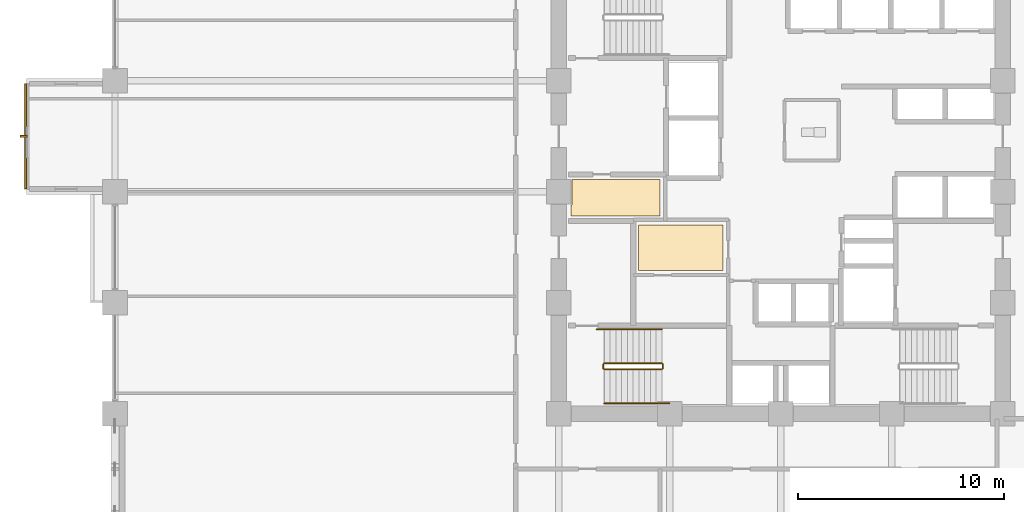
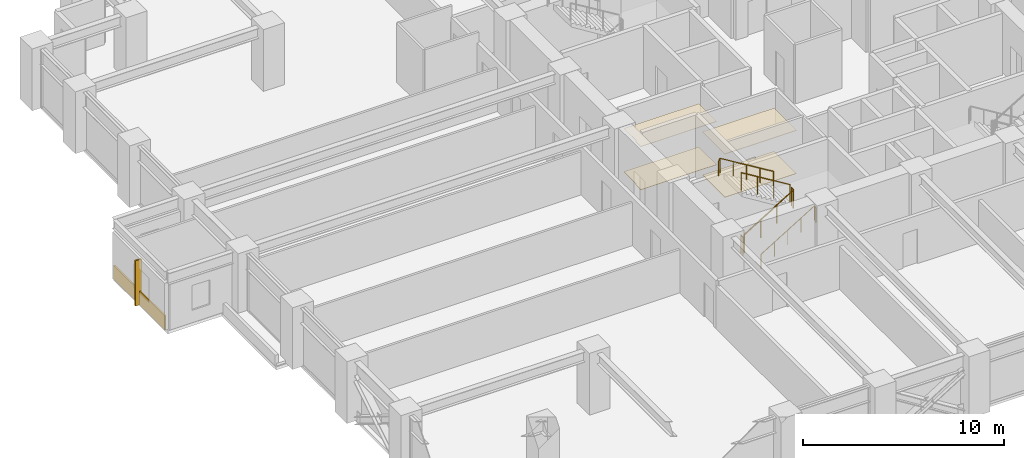
# One storey, part 25 of 28: 6 railings, 5 coverings, 1 shading device.
"""IFC4 building model written with IfcOpenShell, lengths in metres."""

from ifc_helpers import new_model, si_unit, direction, frame, origin, origin_2d, place, context, subcontext, project, spatial, polyline, rectangle, circle, outline, extrude, material, layer, layer_set, type_object, element, save


model = new_model("IFC4")

# Units and contexts
model_context = context("Model", 3, precision=1e-05, world=origin(), true_north=direction((0.0, 1.0)))
body_context = subcontext(model_context, "Body", "Model", "MODEL_VIEW")
ifc_project = project(units=[si_unit("LENGTHUNIT", "METRE"), si_unit("AREAUNIT", "SQUARE_METRE"), si_unit("VOLUMEUNIT", "CUBIC_METRE"), si_unit("PLANEANGLEUNIT", "RADIAN"), si_unit("MASSUNIT", "GRAM", prefix="KILO")], contexts=[model_context])

# Site, building, storey
site_placement = place(None, origin())
site = spatial("IfcSite", under=ifc_project, at=site_placement, CompositionType="ELEMENT")
building_placement = place(site_placement, origin())
building = spatial("IfcBuilding", under=site, at=building_placement, Name="Surkhivell Harbour Commons", CompositionType="ELEMENT")
storey_placement = place(building_placement, frame((0.0, 0.0, 63.75)))
storey = spatial("IfcBuildingStorey", under=building, at=storey_placement, Name="L16", CompositionType="ELEMENT", Elevation=63.75)

# Coverings
ifc_material_1 = material(Name="Perforated acoustic mineral-fibre ceiling tile", Category="other")
ifc_layer_1 = layer(ifc_material_1, 0.02490234375)
ifc_layer_set_1 = layer_set([ifc_layer_1], Name="Perforated acoustic mineral-fibre ceiling tile")
covering_type_1 = type_object("IfcCoveringType", Name="COV-CEIL-AC", PredefinedType="CEILING", material=ifc_layer_set_1)
covering_1_placement = place(storey_placement, frame((0.0, 0.0, 2.617919921875)))
element("IfcCovering", 1, at=covering_1_placement, inside=storey, type_object=covering_type_1, Name="L16 Suspended Acoustic Ceiling 1", PredefinedType="CEILING", context=body_context, shape_type="SweptSolid", body=[
    extrude(outline(polyline([(-10.219970703125, -1.179931640625), (-5.8701171875, -1.179931640625), (-5.8701171875, 0.60009765625), (-10.169921875, 0.60009765625), (-10.169921875, -0.6298828125), (-10.219970703125, -0.6298828125), (-10.219970703125, -1.179931640625)])), origin(), (0.0, 0.0, 1.0), 0.025146484375),
])
ifc_material_2 = material(Name="Moisture-resistant gypsum acoustic ceiling board", Category="other")
ifc_layer_2 = layer(ifc_material_2, 0.030029296875)
ifc_layer_set_2 = layer_set([ifc_layer_2], Name="Moisture-resistant gypsum acoustic ceiling board")
covering_type_2 = type_object("IfcCoveringType", Name="COV-CEIL-GYP", PredefinedType="CEILING", material=ifc_layer_set_2)
covering_2_placement = place(storey_placement, frame((0.0, 0.0, 2.613037109375)))
element("IfcCovering", 2, at=covering_2_placement, inside=storey, type_object=covering_type_2, Name="L16 Suspended Acoustic Ceiling 2", PredefinedType="CEILING", context=body_context, shape_type="SweptSolid", body=[
    extrude(outline(polyline([(-6.929931640625, -3.830078125), (-2.820068359375, -3.830078125), (-2.820068359375, -1.60009765625), (-6.929931640625, -1.60009765625), (-6.929931640625, -3.830078125)])), origin(), (0.0, 0.0, 1.0), 0.030029296875),
])
ifc_material_3 = material(Name="Emerald-teal enamelled aluminium cassette panel", Category="aluminium")
ifc_layer_3 = layer(ifc_material_3, 0.068115234375)
ifc_layer_set_3 = layer_set([ifc_layer_3], Name="Emerald-teal enamelled aluminium cassette panel")
covering_type_3 = type_object("IfcCoveringType", Name="COV-CLAD-EME", PredefinedType="CLADDING", material=ifc_layer_set_3)
covering_3_placement = place(storey_placement, frame((-36.739990234375, 2.699951171875, 0.0), z_axis=(0.0, 0.0, 1.0), x_axis=(1.0, 0.0, 0.0)))
element("IfcCovering", 3, at=covering_3_placement, inside=storey, type_object=covering_type_3, Name="L16 Coloured-Panel Box Spandrel Cassette 02", PredefinedType="CLADDING", context=body_context, shape_type="SweptSolid", body=[
    extrude(rectangle(XDim=0.080078125, YDim=5.10009765625, at=origin_2d()), origin(), (0.0, 0.0, 1.0), 0.840087890625),
])
ifc_material_4 = material(Name="Engineered acoustic oak timber flooring", Category="wood")
ifc_layer_4 = layer(ifc_material_4, 0.02001953125)
ifc_layer_set_4 = layer_set([ifc_layer_4], Name="Engineered acoustic oak timber flooring")
covering_type_4 = type_object("IfcCoveringType", Name="COV-FLR-TIM", PredefinedType="FLOORING", material=ifc_layer_set_4)
covering_4_placement = place(storey_placement, origin())
element("IfcCovering", 4, at=covering_4_placement, inside=storey, type_object=covering_type_4, Name="L16 Interior Floor Finish 1", PredefinedType="FLOORING", context=body_context, shape_type="SweptSolid", body=[
    extrude(outline(polyline([(-10.219970703125, -1.179931640625), (-5.8701171875, -1.179931640625), (-5.8701171875, 0.60009765625), (-10.169921875, 0.60009765625), (-10.169921875, -0.6298828125), (-10.219970703125, -0.6298828125), (-10.219970703125, -1.179931640625)])), origin(), (0.0, 0.0, 1.0), 0.02001953125),
])
covering_5_placement = place(storey_placement, origin())
element("IfcCovering", 5, at=covering_5_placement, inside=storey, type_object=covering_type_4, Name="L16 Interior Floor Finish 2", PredefinedType="FLOORING", context=body_context, shape_type="SweptSolid", body=[
    extrude(outline(polyline([(-6.929931640625, -3.830078125), (-2.820068359375, -3.830078125), (-2.820068359375, -1.60009765625), (-6.929931640625, -1.60009765625), (-6.929931640625, -3.830078125)])), origin(), (0.0, 0.0, 1.0), 0.02001953125),
])

# Railings
ifc_material_5 = material(Name="Galvanised and painted steel S355 guard rail", Category="steel")
railing_type_1 = type_object("IfcRailingType", Name="RAL-ST-GRD1100", PredefinedType="GUARDRAIL", material=ifc_material_5)
railing_1_placement = place(storey_placement, frame((-8.590087890625, -8.639892578125, 0.17041015625)))
element("IfcRailing", 6, at=railing_1_placement, inside=storey, type_object=railing_type_1, Name="L16 ST3 stair guard 1", PredefinedType="GUARDRAIL", context=body_context, shape_type="SweptSolid", body=[
    extrude(circle(Radius=0.02392578125, at=origin_2d()), frame((0.0, 0.0, 1.076171875), z_axis=(0.854169791009, 0.0, 0.51999420009), x_axis=(0.0, 1.0, 0.0)), (0.0, 0.0, 1.0), 3.278076171875),
    extrude(circle(Radius=0.02099609375, at=origin_2d()), origin(), (0.0, 0.0, 1.0), 1.052001953125),
    extrude(circle(Radius=0.02099609375, at=origin_2d()), frame((0.933349609375, 0.0, 0.568115234375)), (0.0, 0.0, 1.0), 1.052001953125),
    extrude(circle(Radius=0.02099609375, at=origin_2d()), frame((1.86669921875, 0.0, 1.136474609375)), (0.0, 0.0, 1.0), 1.052001953125),
    extrude(circle(Radius=0.02099609375, at=origin_2d()), frame((2.800048828125, 0.0, 1.70458984375)), (0.0, 0.0, 1.0), 1.052001953125),
])
railing_2_placement = place(storey_placement, frame((-5.739990234375, -8.590087890625, 1.875)))
element("IfcRailing", 7, at=railing_2_placement, inside=storey, type_object=railing_type_1, Name="L16 ST3 stair guard 2", PredefinedType="GUARDRAIL", context=body_context, shape_type="SweptSolid", body=[
    extrude(circle(Radius=0.02392578125, at=origin_2d()), frame((0.0, 0.0, 1.076171875), z_axis=(0.0, 1.0, 0.0), x_axis=(-1.0, 0.0, 0.0)), (0.0, 0.0, 1.0), 0.2001953125),
    extrude(circle(Radius=0.02099609375, at=origin_2d()), origin(), (0.0, 0.0, 1.0), 1.052001953125),
    extrude(circle(Radius=0.02099609375, at=origin_2d()), frame((0.0, 0.2001953125, 0.0)), (0.0, 0.0, 1.0), 1.052001953125),
])
railing_3_placement = place(storey_placement, frame((-5.7900390625, -8.340087890625, 2.04541015625)))
element("IfcRailing", 8, at=railing_3_placement, inside=storey, type_object=railing_type_1, Name="L16 ST3 stair guard 3", PredefinedType="GUARDRAIL", context=body_context, shape_type="SweptSolid", body=[
    extrude(circle(Radius=0.02392578125, at=origin_2d()), frame((0.0, 0.0, 1.076171875), z_axis=(-0.854169791009, 0.0, 0.51999420009), x_axis=(0.0, -1.0, 0.0)), (0.0, 0.0, 1.0), 3.278076171875),
    extrude(circle(Radius=0.02099609375, at=origin_2d()), origin(), (0.0, 0.0, 1.0), 1.052001953125),
    extrude(circle(Radius=0.02099609375, at=origin_2d()), frame((-0.933349609375, 0.0, 0.568115234375)), (0.0, 0.0, 1.0), 1.052001953125),
    extrude(circle(Radius=0.02099609375, at=origin_2d()), frame((-1.86669921875, 0.0, 1.136474609375)), (0.0, 0.0, 1.0), 1.052001953125),
    extrude(circle(Radius=0.02099609375, at=origin_2d()), frame((-2.800048828125, 0.0, 1.70458984375)), (0.0, 0.0, 1.0), 1.052001953125),
])
railing_4_placement = place(storey_placement, frame((-8.639892578125, -8.590087890625, 0.0)))
element("IfcRailing", 9, at=railing_4_placement, inside=storey, type_object=railing_type_1, Name="L16 ST3 stair guard 4", PredefinedType="GUARDRAIL", context=body_context, shape_type="SweptSolid", body=[
    extrude(circle(Radius=0.02392578125, at=origin_2d()), frame((0.0, 0.0, 1.076171875), z_axis=(0.0, 1.0, 0.0), x_axis=(-1.0, 0.0, 0.0)), (0.0, 0.0, 1.0), 0.2001953125),
    extrude(circle(Radius=0.02099609375, at=origin_2d()), origin(), (0.0, 0.0, 1.0), 1.052001953125),
    extrude(circle(Radius=0.02099609375, at=origin_2d()), frame((0.0, 0.2001953125, 0.0)), (0.0, 0.0, 1.0), 1.052001953125),
])
ifc_material_6 = material(Name="Brushed stainless steel S355 handrail", Category="steel")
railing_type_2 = type_object("IfcRailingType", Name="RAL-ST-HND900", PredefinedType="HANDRAIL", material=ifc_material_6)
railing_5_placement = place(storey_placement, frame((-8.590087890625, -10.2900390625, 0.17041015625)))
element("IfcRailing", 10, at=railing_5_placement, inside=storey, type_object=railing_type_2, Name="L16 ST3 stair handrail 1", PredefinedType="HANDRAIL", context=body_context, shape_type="SweptSolid", body=[
    extrude(circle(Radius=0.02392578125, at=origin_2d()), frame((0.0, 0.0, 0.8759765625), z_axis=(0.854177636135, 0.0, 0.519981313056), x_axis=(0.0, 1.0, 0.0)), (0.0, 0.0, 1.0), 3.60595703125),
    extrude(circle(Radius=0.02392578125, at=origin_2d()), frame((3.080078125, 0.0, 2.7509765625), z_axis=(0.425297416671, 0.0, -0.905053648892), x_axis=(0.0, 1.0, 0.0)), (0.0, 0.0, 1.0), 0.188232421875),
    extrude(circle(Radius=0.02099609375, at=origin_2d()), origin(), (0.0, 0.0, 1.0), 0.851806640625),
    extrude(circle(Radius=0.02099609375, at=origin_2d()), frame((0.77001953125, 0.0, 0.46875)), (0.0, 0.0, 1.0), 0.851806640625),
    extrude(circle(Radius=0.02099609375, at=origin_2d()), frame((1.5400390625, 0.0, 0.9375)), (0.0, 0.0, 1.0), 0.851806640625),
    extrude(circle(Radius=0.02099609375, at=origin_2d()), frame((2.31005859375, 0.0, 1.40625)), (0.0, 0.0, 1.0), 0.851806640625),
    extrude(circle(Radius=0.02099609375, at=origin_2d()), frame((3.080078125, 0.0, 1.875)), (0.0, 0.0, 1.0), 0.851806640625),
    extrude(circle(Radius=0.02099609375, at=origin_2d()), frame((3.16015625, 0.0, 1.70458984375)), (0.0, 0.0, 1.0), 0.851806640625),
])
railing_6_placement = place(storey_placement, frame((-5.7900390625, -6.68994140625, 2.04541015625)))
element("IfcRailing", 11, at=railing_6_placement, inside=storey, type_object=railing_type_2, Name="L16 ST3 stair handrail 2", PredefinedType="HANDRAIL", context=body_context, shape_type="SweptSolid", body=[
    extrude(circle(Radius=0.02392578125, at=origin_2d()), frame((0.0, 0.0, 0.8759765625), z_axis=(-0.854177636135, 0.0, 0.519981313056), x_axis=(0.0, -1.0, 0.0)), (0.0, 0.0, 1.0), 3.60595703125),
    extrude(circle(Radius=0.02392578125, at=origin_2d()), frame((-3.080078125, 0.0, 2.7509765625), z_axis=(-0.424234432967, 0.0, -0.905552398199), x_axis=(0.0, -1.0, 0.0)), (0.0, 0.0, 1.0), 0.188232421875),
    extrude(circle(Radius=0.02099609375, at=origin_2d()), origin(), (0.0, 0.0, 1.0), 0.851806640625),
    extrude(circle(Radius=0.02099609375, at=origin_2d()), frame((-0.77001953125, 0.0, 0.46875)), (0.0, 0.0, 1.0), 0.851806640625),
    extrude(circle(Radius=0.02099609375, at=origin_2d()), frame((-1.5400390625, 0.0, 0.9375)), (0.0, 0.0, 1.0), 0.851806640625),
    extrude(circle(Radius=0.02099609375, at=origin_2d()), frame((-2.31005859375, 0.0, 1.40625)), (0.0, 0.0, 1.0), 0.851806640625),
    extrude(circle(Radius=0.02099609375, at=origin_2d()), frame((-3.080078125, 0.0, 1.875)), (0.0, 0.0, 1.0), 0.851806640625),
    extrude(circle(Radius=0.02099609375, at=origin_2d()), frame((-3.159912109375, 0.0, 1.70458984375)), (0.0, 0.0, 1.0), 0.851806640625),
])

# Shading device
ifc_material_7 = material(Name="Anodised pale-metal aluminium solar fin", Category="aluminium")
shading_device_type = type_object("IfcShadingDeviceType", Name="SHD-FIN-VERT", PredefinedType="USERDEFINED", material=ifc_material_7)
shading_device_placement = place(storey_placement, frame((-36.840087890625, 2.699951171875, 0.0048828125), z_axis=(0.0, 0.0, 1.0), x_axis=(1.0, 0.0, 0.0)))
element("IfcShadingDevice", 12, at=shading_device_placement, inside=storey, type_object=shading_device_type, Name="L16 Coloured-Box Solar Fin 02", ObjectType="FIN", PredefinedType="USERDEFINED", context=body_context, shape_type="SweptSolid", body=[
    extrude(rectangle(XDim=0.360107421875, YDim=0.090087890625, at=origin_2d()), origin(), (0.0, 0.0, 1.0), 2.75),
])

save(model, "model.ifc")
